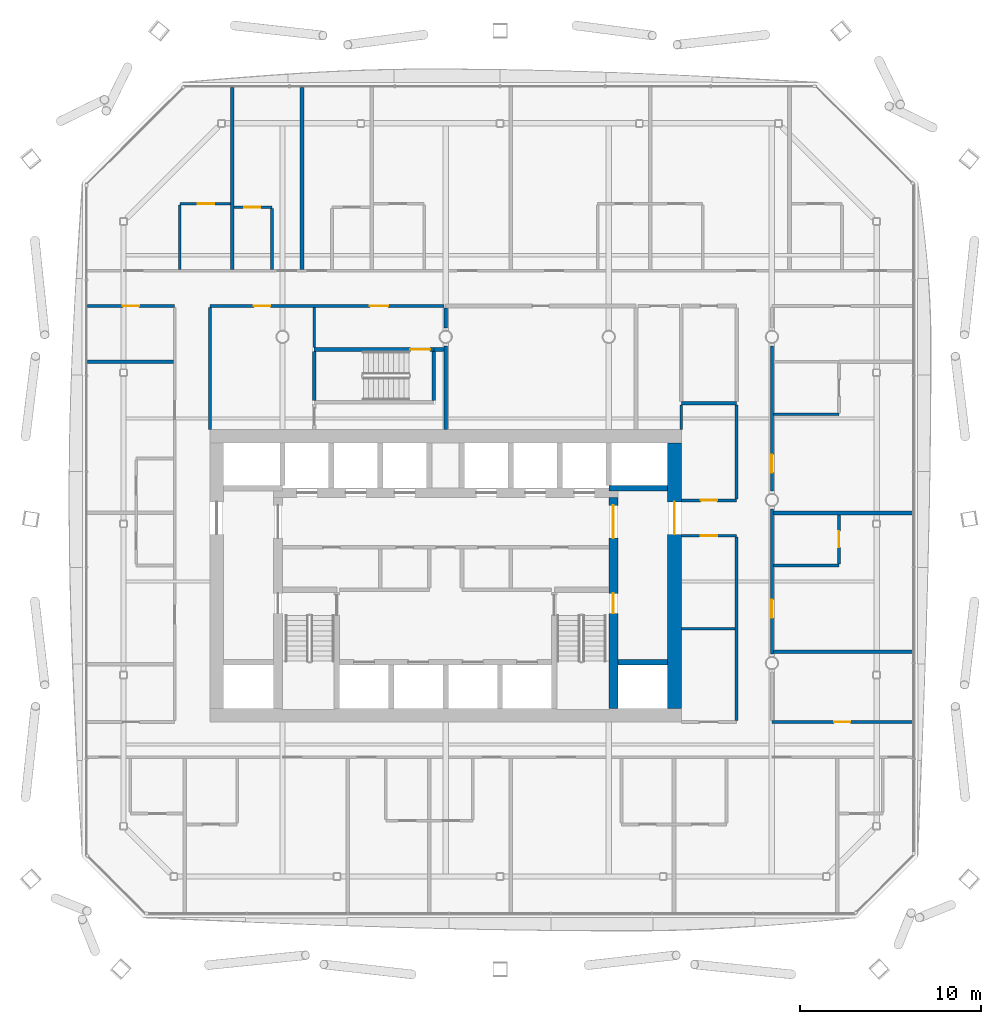
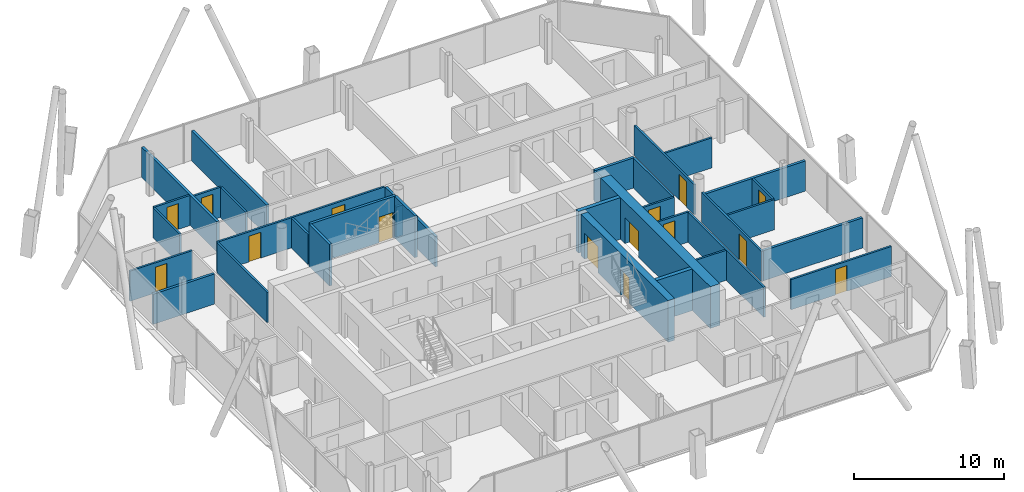
# One storey, part 16 of 23: 36 walls, 15 doors, 15 openings.
"""IFC4 building model written with IfcOpenShell, lengths in metres."""

from ifc_helpers import new_model, si_unit, direction, frame, frame_2d, origin, place, context, subcontext, project, spatial, rectangle, extrude, material, layer, layer_set, type_object, element, fill, save


model = new_model("IFC4")

# Units and contexts
model_context = context("Model", 3, precision=1e-05, world=origin(), true_north=direction((0.0, 1.0)))
body_context = subcontext(model_context, "Body", "Model", "MODEL_VIEW")
ifc_project = project(units=[si_unit("LENGTHUNIT", "METRE"), si_unit("AREAUNIT", "SQUARE_METRE"), si_unit("VOLUMEUNIT", "CUBIC_METRE"), si_unit("PLANEANGLEUNIT", "RADIAN"), si_unit("MASSUNIT", "GRAM", prefix="KILO")], contexts=[model_context])

# Site, building, storey
site_placement = place(None, origin())
site = spatial("IfcSite", under=ifc_project, at=site_placement, CompositionType="ELEMENT")
building_placement = place(site_placement, origin())
building = spatial("IfcBuilding", under=site, at=building_placement, Name="Tskaro Facet Tower", CompositionType="ELEMENT")
storey_placement = place(building_placement, frame((0.0, 0.0, 131.699951171875)))
storey = spatial("IfcBuildingStorey", under=building, at=storey_placement, Name="L31", CompositionType="ELEMENT", Elevation=131.699951171875)

# Walls
ifc_material_1 = material(Name="Concrete C60/75", Category="concrete")
ifc_layer_1 = layer(ifc_material_1, 0.300048828125, Name="Concrete C60/75")
ifc_layer_set_1 = layer_set([ifc_layer_1], Name="Concrete C60/75")
wall_type_1 = type_object("IfcWallType", Name="CORE-SHAFT", PredefinedType="SHEAR", material=ifc_layer_set_1)
wall_1_placement = place(storey_placement, frame((9.5, -8.949951171875, 0.0), z_axis=(0.0, 0.0, 1.0), x_axis=(1.0, 0.0, 0.0)))
element("IfcWall", 1, at=wall_1_placement, inside=storey, type_object=wall_type_1, Name="Shaft wall W013", PredefinedType="SHEAR", context=body_context, shape_type="SweptSolid", body=[
    extrude(rectangle(XDim=2.75, YDim=0.300048828125, at=frame_2d((1.375, 0.0))), origin(), (0.0, 0.0, 1.0), 3.400146484375),
])
wall_2_placement = place(storey_placement, frame((12.25, 0.64990234375, 0.0), z_axis=(0.0, 0.0, 1.0), x_axis=(-1.0, 0.0, 0.0)))
element("IfcWall", 2, at=wall_2_placement, inside=storey, type_object=wall_type_1, Name="Shaft wall W028", PredefinedType="SHEAR", context=body_context, shape_type="SweptSolid", body=[
    extrude(rectangle(XDim=3.25, YDim=0.300048828125, at=frame_2d((1.625, 0.0))), origin(), (0.0, 0.0, 1.0), 3.400146484375),
])

# Wall, openings, doors
ifc_material_2 = material(Name="Concrete C40/50", Category="concrete")
ifc_layer_2 = layer(ifc_material_2, 0.5, Name="Concrete C40/50")
ifc_layer_set_2 = layer_set([ifc_layer_2], Name="Concrete C40/50")
wall_type_2 = type_object("IfcWallType", Name="Core wall 500", PredefinedType="SHEAR", material=ifc_layer_set_2)
wall_3_placement = place(storey_placement, frame((9.25, -11.5, 0.0), z_axis=(0.0, 0.0, 1.0), x_axis=(0.0, 1.0, 0.0)))
wall_3 = element("IfcWall", 3, at=wall_3_placement, inside=storey, type_object=wall_type_2, Name="Core wall CW-Z3E", PredefinedType="SHEAR", context=body_context, shape_type="SweptSolid", body=[
    extrude(rectangle(XDim=11.64990234375, YDim=0.5, at=frame_2d((5.824951171875, 0.0))), origin(), (0.0, 0.0, 1.0), 3.400146484375),
])
opening_1_placement = place(wall_3_placement, frame((9.39990234375, 0.0, 0.0)))
opening_1 = element("IfcOpeningElement", 4, at=opening_1_placement, cuts=wall_3, Name="Opening T9-D30", PredefinedType="OPENING", context=body_context, shape_type="SweptSolid", body=[
    extrude(rectangle(XDim=1.800048828125, YDim=2.10009765625, at=frame_2d((0.89990234375, 1.050048828125))), frame((0.0, 0.260009765625, 0.0), z_axis=(0.0, -1.0, 0.0), x_axis=(1.0, 0.0, 0.0)), (0.0, 0.0, 1.0), 0.52001953125),
])
opening_2_placement = place(wall_3_placement, frame((5.25, 0.0, 0.0)))
opening_2 = element("IfcOpeningElement", 5, at=opening_2_placement, cuts=wall_3, Name="Opening ST-2-D2", PredefinedType="OPENING", context=body_context, shape_type="SweptSolid", body=[
    extrude(rectangle(XDim=1.10009765625, YDim=2.10009765625, at=frame_2d((0.550048828125, 1.050048828125))), frame((0.0, 0.260009765625, 0.0), z_axis=(0.0, -1.0, 0.0), x_axis=(1.0, 0.0, 0.0)), (0.0, 0.0, 1.0), 0.52001953125),
])
ifc_material_3 = material(Name="Steel", Category="steel")
door_type_1 = type_object("IfcDoorType", Name="D-CORE-PAIR", OperationType="NOTDEFINED", PredefinedType="DOOR", material=ifc_material_3)
door_1_placement = place(opening_1_placement, origin())
door_1 = element("IfcDoor", 6, at=door_1_placement, inside=storey, type_object=door_type_1, Name="Door T9-D30", OperationType="DOUBLE_DOOR_SINGLE_SWING", OverallHeight=2.10009765625, OverallWidth=1.800048828125, PredefinedType="DOOR", context=body_context, shape_type="SweptSolid", body=[
    extrude(rectangle(XDim=1.800048828125, YDim=2.10009765625, at=frame_2d((0.89990234375, 1.050048828125))), frame((0.0, 0.02490234375, 0.0), z_axis=(0.0, -1.0, 0.0), x_axis=(1.0, 0.0, 0.0)), (0.0, 0.0, 1.0), 0.050048828125),
])
fill(opening_1, door_1)
door_type_2 = type_object("IfcDoorType", Name="D-STAIR", OperationType="NOTDEFINED", PredefinedType="DOOR", material=ifc_material_3)
door_2_placement = place(opening_2_placement, origin())
door_2 = element("IfcDoor", 7, at=door_2_placement, inside=storey, type_object=door_type_2, Name="Stair door 2 east", OperationType="SINGLE_SWING_LEFT", OverallHeight=2.10009765625, OverallWidth=1.10009765625, PredefinedType="DOOR", context=body_context, shape_type="SweptSolid", body=[
    extrude(rectangle(XDim=1.10009765625, YDim=2.10009765625, at=frame_2d((0.550048828125, 1.050048828125))), frame((0.0, 0.02490234375, 0.0), z_axis=(0.0, -1.0, 0.0), x_axis=(1.0, 0.0, 0.0)), (0.0, 0.0, 1.0), 0.050048828125),
])
fill(opening_2, door_2)

# Wall, opening, door
ifc_material_4 = material(Name="Concrete C50/60", Category="concrete")
ifc_layer_3 = layer(ifc_material_4, 0.75, Name="Concrete C50/60")
ifc_layer_set_3 = layer_set([ifc_layer_3], Name="Concrete C50/60")
wall_type_3 = type_object("IfcWallType", Name="Core wall 750", PredefinedType="SHEAR", material=ifc_layer_set_3)
wall_4_placement = place(storey_placement, frame((12.625, -11.5, 0.0), z_axis=(0.0, 0.0, 1.0), x_axis=(0.0, 1.0, 0.0)))
wall_4 = element("IfcWall", 8, at=wall_4_placement, inside=storey, type_object=wall_type_3, Name="Core wall CW-Z2E", PredefinedType="SHEAR", context=body_context, shape_type="SweptSolid", body=[
    extrude(rectangle(XDim=14.64990234375, YDim=0.75, at=frame_2d((7.324951171875, 0.0))), origin(), (0.0, 0.0, 1.0), 3.400146484375),
])
opening_3_placement = place(wall_4_placement, frame((9.60009765625, 0.0, 0.0)))
opening_3 = element("IfcOpeningElement", 9, at=opening_3_placement, cuts=wall_4, Name="Opening T9-D32", PredefinedType="OPENING", context=body_context, shape_type="SweptSolid", body=[
    extrude(rectangle(XDim=1.800048828125, YDim=2.10009765625, at=frame_2d((0.89990234375, 1.050048828125))), frame((0.0, 0.385009765625, 0.0), z_axis=(0.0, -1.0, 0.0), x_axis=(1.0, 0.0, 0.0)), (0.0, 0.0, 1.0), 0.77001953125),
])
door_3_placement = place(opening_3_placement, origin())
door_3 = element("IfcDoor", 10, at=door_3_placement, inside=storey, type_object=door_type_1, Name="Door T9-D32", OperationType="DOUBLE_DOOR_SINGLE_SWING", OverallHeight=2.10009765625, OverallWidth=1.800048828125, PredefinedType="DOOR", context=body_context, shape_type="SweptSolid", body=[
    extrude(rectangle(XDim=1.800048828125, YDim=2.10009765625, at=frame_2d((0.89990234375, 1.050048828125))), frame((0.0, 0.02490234375, 0.0), z_axis=(0.0, -1.0, 0.0), x_axis=(1.0, 0.0, 0.0)), (0.0, 0.0, 1.0), 0.050048828125),
])
fill(opening_3, door_3)

ifc_material_5 = material(Name="Gypsum board on steel studs", Category="steel")
ifc_layer_4 = layer(ifc_material_5, 0.14990234375, Name="Gypsum board on steel studs")
ifc_layer_set_4 = layer_set([ifc_layer_4], Name="Gypsum board on steel studs")
wall_type_4 = type_object("IfcWallType", Name="PART-CORR", PredefinedType="PARTITIONING", material=ifc_layer_set_4)
wall_5_placement = place(storey_placement, frame((18.0, -12.25, 0.0), z_axis=(0.0, 0.0, 1.0), x_axis=(1.0, 0.0, 0.0)))
wall_5 = element("IfcWall", 11, at=wall_5_placement, inside=storey, type_object=wall_type_4, Name="Corridor wall W009", PredefinedType="PARTITIONING", context=body_context, shape_type="SweptSolid", body=[
    extrude(rectangle(XDim=7.77001953125, YDim=0.14990234375, at=frame_2d((3.885009765625, 0.0))), origin(), (0.0, 0.0, 1.0), 2.4599609375),
])
opening_4_placement = place(wall_5_placement, frame((3.43505859375, 0.0, 0.0)))
opening_4 = element("IfcOpeningElement", 12, at=opening_4_placement, cuts=wall_5, Name="Opening T9-D17", PredefinedType="OPENING", context=body_context, shape_type="SweptSolid", body=[
    extrude(rectangle(XDim=0.89990234375, YDim=2.10009765625, at=frame_2d((0.449951171875, 1.050048828125))), frame((0.0, 0.0849609375, 0.0), z_axis=(0.0, -1.0, 0.0), x_axis=(1.0, 0.0, 0.0)), (0.0, 0.0, 1.0), 0.169921875),
])
ifc_material_6 = material(Name="Timber", Category="wood")
door_type_3 = type_object("IfcDoorType", Name="D-ROOM", OperationType="NOTDEFINED", PredefinedType="DOOR", material=ifc_material_6)
door_4_placement = place(opening_4_placement, origin())
door_4 = element("IfcDoor", 13, at=door_4_placement, inside=storey, type_object=door_type_3, Name="Door T9-D17", OperationType="SINGLE_SWING_LEFT", OverallHeight=2.10009765625, OverallWidth=0.89990234375, PredefinedType="DOOR", context=body_context, shape_type="SweptSolid", body=[
    extrude(rectangle(XDim=0.89990234375, YDim=2.10009765625, at=frame_2d((0.449951171875, 1.050048828125))), frame((0.0, 0.02490234375, 0.0), z_axis=(0.0, -1.0, 0.0), x_axis=(1.0, 0.0, 0.0)), (0.0, 0.0, 1.0), 0.050048828125),
])
fill(opening_4, door_4)

# Walls
wall_6_placement = place(storey_placement, frame((13.0, -7.112060546875, 0.0), z_axis=(0.0, 0.0, 1.0), x_axis=(1.0, 0.0, 0.0)))
element("IfcWall", 14, at=wall_6_placement, inside=storey, type_object=wall_type_4, Name="Corridor wall W015", PredefinedType="PARTITIONING", context=body_context, shape_type="SweptSolid", body=[
    extrude(rectangle(XDim=2.97509765625, YDim=0.14990234375, at=frame_2d((1.487548828125, 0.0))), origin(), (0.0, 0.0, 1.0), 2.4599609375),
])
wall_7_placement = place(storey_placement, frame((18.074951171875, -3.615966796875, 0.0), z_axis=(0.0, 0.0, 1.0), x_axis=(1.0, 0.0, 0.0)))
element("IfcWall", 15, at=wall_7_placement, inside=storey, type_object=wall_type_4, Name="Corridor wall W020", PredefinedType="PARTITIONING", context=body_context, shape_type="SweptSolid", body=[
    extrude(rectangle(XDim=3.625, YDim=0.14990234375, at=frame_2d((1.8125, 0.0))), origin(), (0.0, 0.0, 1.0), 2.4599609375),
])

# Wall, opening, door
wall_8_placement = place(storey_placement, frame((16.050048828125, -1.97509765625, 0.0), z_axis=(0.0, 0.0, 1.0), x_axis=(-1.0, 0.0, 0.0)))
wall_8 = element("IfcWall", 16, at=wall_8_placement, inside=storey, type_object=wall_type_4, Name="Corridor wall W023", PredefinedType="PARTITIONING", context=body_context, shape_type="SweptSolid", body=[
    extrude(rectangle(XDim=3.050048828125, YDim=0.14990234375, at=frame_2d((1.52490234375, 0.0))), origin(), (0.0, 0.0, 1.0), 2.4599609375),
])
opening_5_placement = place(wall_8_placement, frame((1.074951171875, 0.0, 0.0)))
opening_5 = element("IfcOpeningElement", 17, at=opening_5_placement, cuts=wall_8, Name="Opening T9-D28", PredefinedType="OPENING", context=body_context, shape_type="SweptSolid", body=[
    extrude(rectangle(XDim=0.89990234375, YDim=2.10009765625, at=frame_2d((0.449951171875, 1.050048828125))), frame((0.0, 0.0849609375, 0.0), z_axis=(0.0, -1.0, 0.0), x_axis=(1.0, 0.0, 0.0)), (0.0, 0.0, 1.0), 0.169921875),
])
door_5_placement = place(opening_5_placement, origin())
door_5 = element("IfcDoor", 18, at=door_5_placement, inside=storey, type_object=door_type_3, Name="Door T9-D28", OperationType="SINGLE_SWING_RIGHT", OverallHeight=2.10009765625, OverallWidth=0.89990234375, PredefinedType="DOOR", context=body_context, shape_type="SweptSolid", body=[
    extrude(rectangle(XDim=0.89990234375, YDim=2.10009765625, at=frame_2d((0.449951171875, 1.050048828125))), frame((0.0, 0.02490234375, 0.0), z_axis=(0.0, -1.0, 0.0), x_axis=(1.0, 0.0, 0.0)), (0.0, 0.0, 1.0), 0.050048828125),
])
fill(opening_5, door_5)

wall_9_placement = place(storey_placement, frame((13.0, -0.02490234375, 0.0), z_axis=(0.0, 0.0, 1.0), x_axis=(1.0, 0.0, 0.0)))
wall_9 = element("IfcWall", 19, at=wall_9_placement, inside=storey, type_object=wall_type_4, Name="Corridor wall W026", PredefinedType="PARTITIONING", context=body_context, shape_type="SweptSolid", body=[
    extrude(rectangle(XDim=3.050048828125, YDim=0.14990234375, at=frame_2d((1.52490234375, 0.0))), origin(), (0.0, 0.0, 1.0), 2.4599609375),
])
opening_6_placement = place(wall_9_placement, frame((1.074951171875, 0.0, 0.0)))
opening_6 = element("IfcOpeningElement", 20, at=opening_6_placement, cuts=wall_9, Name="Opening T9-D33", PredefinedType="OPENING", context=body_context, shape_type="SweptSolid", body=[
    extrude(rectangle(XDim=0.89990234375, YDim=2.10009765625, at=frame_2d((0.449951171875, 1.050048828125))), frame((0.0, 0.0849609375, 0.0), z_axis=(0.0, -1.0, 0.0), x_axis=(1.0, 0.0, 0.0)), (0.0, 0.0, 1.0), 0.169921875),
])
door_6_placement = place(opening_6_placement, origin())
door_6 = element("IfcDoor", 21, at=door_6_placement, inside=storey, type_object=door_type_3, Name="Door T9-D33", OperationType="SINGLE_SWING_LEFT", OverallHeight=2.10009765625, OverallWidth=0.89990234375, PredefinedType="DOOR", context=body_context, shape_type="SweptSolid", body=[
    extrude(rectangle(XDim=0.89990234375, YDim=2.10009765625, at=frame_2d((0.449951171875, 1.050048828125))), frame((0.0, 0.02490234375, 0.0), z_axis=(0.0, -1.0, 0.0), x_axis=(1.0, 0.0, 0.0)), (0.0, 0.0, 1.0), 0.050048828125),
])
fill(opening_6, door_6)

# Wall
wall_10_placement = place(storey_placement, frame((18.074951171875, 4.72607421875, 0.0), z_axis=(0.0, 0.0, 1.0), x_axis=(1.0, 0.0, 0.0)))
element("IfcWall", 22, at=wall_10_placement, inside=storey, type_object=wall_type_4, Name="Corridor wall W030", PredefinedType="PARTITIONING", context=body_context, shape_type="SweptSolid", body=[
    extrude(rectangle(XDim=3.625, YDim=0.14990234375, at=frame_2d((1.8125, 0.0))), origin(), (0.0, 0.0, 1.0), 2.4599609375),
])

# Wall, opening, door
wall_11_placement = place(storey_placement, frame((-14.949951171875, 10.699951171875, 0.0), z_axis=(0.0, 0.0, 1.0), x_axis=(-1.0, 0.0, 0.0)))
wall_11 = element("IfcWall", 23, at=wall_11_placement, inside=storey, type_object=wall_type_4, Name="Corridor wall W038", PredefinedType="PARTITIONING", context=body_context, shape_type="SweptSolid", body=[
    extrude(rectangle(XDim=4.820068359375, YDim=0.14990234375, at=frame_2d((2.41015625, 0.0))), origin(), (0.0, 0.0, 1.0), 2.4599609375),
])
opening_7_placement = place(wall_11_placement, frame((1.9599609375, 0.0, 0.0)))
opening_7 = element("IfcOpeningElement", 24, at=opening_7_placement, cuts=wall_11, Name="Opening T9-D41", PredefinedType="OPENING", context=body_context, shape_type="SweptSolid", body=[
    extrude(rectangle(XDim=0.89990234375, YDim=2.10009765625, at=frame_2d((0.449951171875, 1.050048828125))), frame((0.0, 0.0849609375, 0.0), z_axis=(0.0, -1.0, 0.0), x_axis=(1.0, 0.0, 0.0)), (0.0, 0.0, 1.0), 0.169921875),
])
door_7_placement = place(opening_7_placement, origin())
door_7 = element("IfcDoor", 25, at=door_7_placement, inside=storey, type_object=door_type_3, Name="Door T9-D41", OperationType="SINGLE_SWING_RIGHT", OverallHeight=2.10009765625, OverallWidth=0.89990234375, PredefinedType="DOOR", context=body_context, shape_type="SweptSolid", body=[
    extrude(rectangle(XDim=0.89990234375, YDim=2.10009765625, at=frame_2d((0.449951171875, 1.050048828125))), frame((0.0, 0.02490234375, 0.0), z_axis=(0.0, -1.0, 0.0), x_axis=(1.0, 0.0, 0.0)), (0.0, 0.0, 1.0), 0.050048828125),
])
fill(opening_7, door_7)

# Wall, openings, doors
wall_12_placement = place(storey_placement, frame((-0.10009765625, 10.699951171875, 0.0), z_axis=(0.0, 0.0, 1.0), x_axis=(-1.0, 0.0, 0.0)))
wall_12 = element("IfcWall", 26, at=wall_12_placement, inside=storey, type_object=wall_type_4, Name="Corridor wall W039", PredefinedType="PARTITIONING", context=body_context, shape_type="SweptSolid", body=[
    extrude(rectangle(XDim=12.89990234375, YDim=0.14990234375, at=frame_2d((6.449951171875, 0.0))), origin(), (0.0, 0.0, 1.0), 2.4599609375),
])
opening_8_placement = place(wall_12_placement, frame((3.074951171875, 0.0, 0.0)))
opening_8 = element("IfcOpeningElement", 27, at=opening_8_placement, cuts=wall_12, Name="Opening T9-D43", PredefinedType="OPENING", context=body_context, shape_type="SweptSolid", body=[
    extrude(rectangle(XDim=1.0, YDim=2.10009765625, at=frame_2d((0.5, 1.050048828125))), frame((0.0, 0.0849609375, 0.0), z_axis=(0.0, -1.0, 0.0), x_axis=(1.0, 0.0, 0.0)), (0.0, 0.0, 1.0), 0.169921875),
])
opening_9_placement = place(wall_12_placement, frame((9.574951171875, 0.0, 0.0)))
opening_9 = element("IfcOpeningElement", 28, at=opening_9_placement, cuts=wall_12, Name="Opening T9-D42", PredefinedType="OPENING", context=body_context, shape_type="SweptSolid", body=[
    extrude(rectangle(XDim=0.89990234375, YDim=2.10009765625, at=frame_2d((0.449951171875, 1.050048828125))), frame((0.0, 0.0849609375, 0.0), z_axis=(0.0, -1.0, 0.0), x_axis=(1.0, 0.0, 0.0)), (0.0, 0.0, 1.0), 0.169921875),
])
door_type_4 = type_object("IfcDoorType", Name="D-LOBBY", OperationType="NOTDEFINED", PredefinedType="DOOR", material=ifc_material_3)
door_8_placement = place(opening_8_placement, origin())
door_8 = element("IfcDoor", 29, at=door_8_placement, inside=storey, type_object=door_type_4, Name="Stair lobby door", OperationType="SINGLE_SWING_RIGHT", OverallHeight=2.10009765625, OverallWidth=1.0, PredefinedType="DOOR", context=body_context, shape_type="SweptSolid", body=[
    extrude(rectangle(XDim=1.0, YDim=2.10009765625, at=frame_2d((0.5, 1.050048828125))), frame((0.0, 0.02490234375, 0.0), z_axis=(0.0, -1.0, 0.0), x_axis=(1.0, 0.0, 0.0)), (0.0, 0.0, 1.0), 0.050048828125),
])
fill(opening_8, door_8)
door_9_placement = place(opening_9_placement, origin())
door_9 = element("IfcDoor", 30, at=door_9_placement, inside=storey, type_object=door_type_3, Name="Door T9-D42", OperationType="SINGLE_SWING_RIGHT", OverallHeight=2.10009765625, OverallWidth=0.89990234375, PredefinedType="DOOR", context=body_context, shape_type="SweptSolid", body=[
    extrude(rectangle(XDim=0.89990234375, YDim=2.10009765625, at=frame_2d((0.449951171875, 1.050048828125))), frame((0.0, 0.02490234375, 0.0), z_axis=(0.0, -1.0, 0.0), x_axis=(1.0, 0.0, 0.0)), (0.0, 0.0, 1.0), 0.050048828125),
])
fill(opening_9, door_9)

# Wall, opening, door
wall_13_placement = place(storey_placement, frame((-9.577880859375, 16.14990234375, 0.0), z_axis=(0.0, 0.0, 1.0), x_axis=(-1.0, 0.0, 0.0)))
wall_13 = element("IfcWall", 31, at=wall_13_placement, inside=storey, type_object=wall_type_4, Name="Corridor wall W045", PredefinedType="PARTITIONING", context=body_context, shape_type="SweptSolid", body=[
    extrude(rectangle(XDim=2.090087890625, YDim=0.14990234375, at=frame_2d((1.044921875, 0.0))), origin(), (0.0, 0.0, 1.0), 2.4599609375),
])
opening_10_placement = place(wall_13_placement, frame((0.64501953125, 0.0, 0.0)))
opening_10 = element("IfcOpeningElement", 32, at=opening_10_placement, cuts=wall_13, Name="Opening T9-D55", PredefinedType="OPENING", context=body_context, shape_type="SweptSolid", body=[
    extrude(rectangle(XDim=0.89990234375, YDim=2.10009765625, at=frame_2d((0.449951171875, 1.050048828125))), frame((0.0, 0.0849609375, 0.0), z_axis=(0.0, -1.0, 0.0), x_axis=(1.0, 0.0, 0.0)), (0.0, 0.0, 1.0), 0.169921875),
])
door_10_placement = place(opening_10_placement, origin())
door_10 = element("IfcDoor", 33, at=door_10_placement, inside=storey, type_object=door_type_3, Name="Door T9-D55", OperationType="SINGLE_SWING_RIGHT", OverallHeight=2.10009765625, OverallWidth=0.89990234375, PredefinedType="DOOR", context=body_context, shape_type="SweptSolid", body=[
    extrude(rectangle(XDim=0.89990234375, YDim=2.10009765625, at=frame_2d((0.449951171875, 1.050048828125))), frame((0.0, 0.02490234375, 0.0), z_axis=(0.0, -1.0, 0.0), x_axis=(1.0, 0.0, 0.0)), (0.0, 0.0, 1.0), 0.050048828125),
])
fill(opening_10, door_10)

wall_14_placement = place(storey_placement, frame((-11.867919921875, 16.35009765625, 0.0), z_axis=(0.0, 0.0, 1.0), x_axis=(-1.0, 0.0, 0.0)))
wall_14 = element("IfcWall", 34, at=wall_14_placement, inside=storey, type_object=wall_type_4, Name="Corridor wall W047", PredefinedType="PARTITIONING", context=body_context, shape_type="SweptSolid", body=[
    extrude(rectangle(XDim=2.800048828125, YDim=0.14990234375, at=frame_2d((1.39990234375, 0.0))), origin(), (0.0, 0.0, 1.0), 2.4599609375),
])
opening_11_placement = place(wall_14_placement, frame((0.89990234375, 0.0, 0.0)))
opening_11 = element("IfcOpeningElement", 35, at=opening_11_placement, cuts=wall_14, Name="Opening T9-D57", PredefinedType="OPENING", context=body_context, shape_type="SweptSolid", body=[
    extrude(rectangle(XDim=0.89990234375, YDim=2.10009765625, at=frame_2d((0.449951171875, 1.050048828125))), frame((0.0, 0.0849609375, 0.0), z_axis=(0.0, -1.0, 0.0), x_axis=(1.0, 0.0, 0.0)), (0.0, 0.0, 1.0), 0.169921875),
])
door_11_placement = place(opening_11_placement, origin())
door_11 = element("IfcDoor", 36, at=door_11_placement, inside=storey, type_object=door_type_3, Name="Door T9-D57", OperationType="SINGLE_SWING_RIGHT", OverallHeight=2.10009765625, OverallWidth=0.89990234375, PredefinedType="DOOR", context=body_context, shape_type="SweptSolid", body=[
    extrude(rectangle(XDim=0.89990234375, YDim=2.10009765625, at=frame_2d((0.449951171875, 1.050048828125))), frame((0.0, 0.02490234375, 0.0), z_axis=(0.0, -1.0, 0.0), x_axis=(1.0, 0.0, 0.0)), (0.0, 0.0, 1.0), 0.050048828125),
])
fill(opening_11, door_11)

# Walls
wall_15_placement = place(storey_placement, frame((-14.66796875, 12.72509765625, 0.0), z_axis=(0.0, 0.0, 1.0), x_axis=(0.0, 1.0, 0.0)))
element("IfcWall", 37, at=wall_15_placement, inside=storey, type_object=wall_type_4, Name="Corridor wall W054", PredefinedType="PARTITIONING", context=body_context, shape_type="SweptSolid", body=[
    extrude(rectangle(XDim=3.5498046875, YDim=0.14990234375, at=frame_2d((1.77490234375, 0.0))), origin(), (0.0, 0.0, 1.0), 2.4599609375),
])
wall_16_placement = place(storey_placement, frame((-13.0, 3.89990234375, 0.0), z_axis=(0.0, 0.0, 1.0), x_axis=(0.0, 1.0, 0.0)))
element("IfcWall", 38, at=wall_16_placement, inside=storey, type_object=wall_type_4, Name="Corridor wall W056", PredefinedType="PARTITIONING", context=body_context, shape_type="SweptSolid", body=[
    extrude(rectangle(XDim=6.72509765625, YDim=0.14990234375, at=frame_2d((3.362548828125, 0.0))), origin(), (0.0, 0.0, 1.0), 2.4599609375),
])
wall_17_placement = place(storey_placement, frame((-9.577880859375, 12.72509765625, 0.0), z_axis=(0.0, 0.0, 1.0), x_axis=(0.0, 1.0, 0.0)))
element("IfcWall", 39, at=wall_17_placement, inside=storey, type_object=wall_type_4, Name="Corridor wall W059", PredefinedType="PARTITIONING", context=body_context, shape_type="SweptSolid", body=[
    extrude(rectangle(XDim=3.349853515625, YDim=0.14990234375, at=frame_2d((1.6748046875, 0.0))), origin(), (0.0, 0.0, 1.0), 2.4599609375),
])
wall_18_placement = place(storey_placement, frame((-7.25, 8.39990234375, 0.0), z_axis=(0.0, 0.0, 1.0), x_axis=(0.0, 1.0, 0.0)))
element("IfcWall", 40, at=wall_18_placement, inside=storey, type_object=wall_type_4, Name="Corridor wall W064", PredefinedType="PARTITIONING", context=body_context, shape_type="SweptSolid", body=[
    extrude(rectangle(XDim=2.22509765625, YDim=0.14990234375, at=frame_2d((1.112548828125, 0.0))), origin(), (0.0, 0.0, 1.0), 2.4599609375),
])
wall_19_placement = place(storey_placement, frame((13.0, 3.89990234375, 0.0), z_axis=(0.0, 0.0, 1.0), x_axis=(0.0, 1.0, 0.0)))
element("IfcWall", 41, at=wall_19_placement, inside=storey, type_object=wall_type_4, Name="Corridor wall W098", PredefinedType="PARTITIONING", context=body_context, shape_type="SweptSolid", body=[
    extrude(rectangle(XDim=1.337158203125, YDim=0.14990234375, at=frame_2d((0.66845703125, 0.0))), origin(), (0.0, 0.0, 1.0), 2.4599609375),
])
wall_20_placement = place(storey_placement, frame((16.050048828125, -12.175048828125, 0.0), z_axis=(0.0, 0.0, 1.0), x_axis=(0.0, 1.0, 0.0)))
element("IfcWall", 42, at=wall_20_placement, inside=storey, type_object=wall_type_4, Name="Corridor wall W102", PredefinedType="PARTITIONING", context=body_context, shape_type="SweptSolid", body=[
    extrude(rectangle(XDim=10.125, YDim=0.14990234375, at=frame_2d((5.0625, 0.0))), origin(), (0.0, 0.0, 1.0), 2.4599609375),
])
wall_21_placement = place(storey_placement, frame((16.050048828125, 0.050048828125, 0.0), z_axis=(0.0, 0.0, 1.0), x_axis=(0.0, 1.0, 0.0)))
element("IfcWall", 43, at=wall_21_placement, inside=storey, type_object=wall_type_4, Name="Corridor wall W103", PredefinedType="PARTITIONING", context=body_context, shape_type="SweptSolid", body=[
    extrude(rectangle(XDim=5.18701171875, YDim=0.14990234375, at=frame_2d((2.593505859375, 0.0))), origin(), (0.0, 0.0, 1.0), 2.4599609375),
])

# Wall, opening, door
wall_22_placement = place(storey_placement, frame((18.0, -0.5, 0.0), z_axis=(0.0, 0.0, 1.0), x_axis=(0.0, -1.0, 0.0)))
wall_22 = element("IfcWall", 44, at=wall_22_placement, inside=storey, type_object=wall_type_4, Name="Corridor wall W106", PredefinedType="PARTITIONING", context=body_context, shape_type="SweptSolid", body=[
    extrude(rectangle(XDim=8.0, YDim=0.14990234375, at=frame_2d((4.0, 0.0))), origin(), (0.0, 0.0, 1.0), 2.4599609375),
])
opening_12_placement = place(wall_22_placement, frame((4.998046875, 0.0, 0.0)))
opening_12 = element("IfcOpeningElement", 45, at=opening_12_placement, cuts=wall_22, Name="Opening T9-D21", PredefinedType="OPENING", context=body_context, shape_type="SweptSolid", body=[
    extrude(rectangle(XDim=1.0, YDim=2.10009765625, at=frame_2d((0.5, 1.050048828125))), frame((0.0, 0.0849609375, 0.0), z_axis=(0.0, -1.0, 0.0), x_axis=(1.0, 0.0, 0.0)), (0.0, 0.0, 1.0), 0.169921875),
])
door_type_5 = type_object("IfcDoorType", Name="D-ENTRY", OperationType="NOTDEFINED", PredefinedType="DOOR", material=ifc_material_6)
door_12_placement = place(opening_12_placement, origin())
door_12 = element("IfcDoor", 46, at=door_12_placement, inside=storey, type_object=door_type_5, Name="Door T9-D21", OperationType="SINGLE_SWING_LEFT", OverallHeight=2.10009765625, OverallWidth=1.0, PredefinedType="DOOR", context=body_context, shape_type="SweptSolid", body=[
    extrude(rectangle(XDim=1.0, YDim=2.10009765625, at=frame_2d((0.5, 1.050048828125))), frame((0.0, 0.02490234375, 0.0), z_axis=(0.0, -1.0, 0.0), x_axis=(1.0, 0.0, 0.0)), (0.0, 0.0, 1.0), 0.050048828125),
])
fill(opening_12, door_12)

wall_23_placement = place(storey_placement, frame((18.0, 8.5, 0.0), z_axis=(0.0, 0.0, 1.0), x_axis=(0.0, -1.0, 0.0)))
wall_23 = element("IfcWall", 47, at=wall_23_placement, inside=storey, type_object=wall_type_4, Name="Corridor wall W107", PredefinedType="PARTITIONING", context=body_context, shape_type="SweptSolid", body=[
    extrude(rectangle(XDim=8.0, YDim=0.14990234375, at=frame_2d((4.0, 0.0))), origin(), (0.0, 0.0, 1.0), 2.4599609375),
])
opening_13_placement = place(wall_23_placement, frame((5.9951171875, 0.0, 0.0)))
opening_13 = element("IfcOpeningElement", 48, at=opening_13_placement, cuts=wall_23, Name="Opening T9-D37", PredefinedType="OPENING", context=body_context, shape_type="SweptSolid", body=[
    extrude(rectangle(XDim=1.0, YDim=2.10009765625, at=frame_2d((0.5, 1.050048828125))), frame((0.0, 0.0849609375, 0.0), z_axis=(0.0, -1.0, 0.0), x_axis=(1.0, 0.0, 0.0)), (0.0, 0.0, 1.0), 0.169921875),
])
door_13_placement = place(opening_13_placement, origin())
door_13 = element("IfcDoor", 49, at=door_13_placement, inside=storey, type_object=door_type_5, Name="Door T9-D37", OperationType="SINGLE_SWING_LEFT", OverallHeight=2.10009765625, OverallWidth=1.0, PredefinedType="DOOR", context=body_context, shape_type="SweptSolid", body=[
    extrude(rectangle(XDim=1.0, YDim=2.10009765625, at=frame_2d((0.5, 1.050048828125))), frame((0.0, 0.02490234375, 0.0), z_axis=(0.0, -1.0, 0.0), x_axis=(1.0, 0.0, 0.0)), (0.0, 0.0, 1.0), 0.050048828125),
])
fill(opening_13, door_13)

wall_24_placement = place(storey_placement, frame((21.699951171875, -3.541015625, 0.0), z_axis=(0.0, 0.0, 1.0), x_axis=(0.0, 1.0, 0.0)))
wall_24 = element("IfcWall", 50, at=wall_24_placement, inside=storey, type_object=wall_type_4, Name="Corridor wall W111", PredefinedType="PARTITIONING", context=body_context, shape_type="SweptSolid", body=[
    extrude(rectangle(XDim=2.72509765625, YDim=0.14990234375, at=frame_2d((1.362548828125, 0.0))), origin(), (0.0, 0.0, 1.0), 2.4599609375),
])
opening_14_placement = place(wall_24_placement, frame((0.925048828125, 0.0, 0.0)))
opening_14 = element("IfcOpeningElement", 51, at=opening_14_placement, cuts=wall_24, Name="Opening T9-D27", PredefinedType="OPENING", context=body_context, shape_type="SweptSolid", body=[
    extrude(rectangle(XDim=0.89990234375, YDim=2.10009765625, at=frame_2d((0.449951171875, 1.050048828125))), frame((0.0, 0.0849609375, 0.0), z_axis=(0.0, -1.0, 0.0), x_axis=(1.0, 0.0, 0.0)), (0.0, 0.0, 1.0), 0.169921875),
])
door_14_placement = place(opening_14_placement, origin())
door_14 = element("IfcDoor", 52, at=door_14_placement, inside=storey, type_object=door_type_3, Name="Door T9-D27", OperationType="SINGLE_SWING_LEFT", OverallHeight=2.10009765625, OverallWidth=0.89990234375, PredefinedType="DOOR", context=body_context, shape_type="SweptSolid", body=[
    extrude(rectangle(XDim=0.89990234375, YDim=2.10009765625, at=frame_2d((0.449951171875, 1.050048828125))), frame((0.0, 0.02490234375, 0.0), z_axis=(0.0, -1.0, 0.0), x_axis=(1.0, 0.0, 0.0)), (0.0, 0.0, 1.0), 0.050048828125),
])
fill(opening_14, door_14)

# Walls
ifc_layer_5 = layer(ifc_material_5, 0.199951171875, Name="Gypsum board on steel studs")
ifc_layer_set_5 = layer_set([ifc_layer_5], Name="Gypsum board on steel studs")
wall_type_5 = type_object("IfcWallType", Name="PART-DEMISING", PredefinedType="PARTITIONING", material=ifc_layer_set_5)
for number, where, z_axis, x_axis, name in (
    (53, (18.074951171875, -8.3798828125, 0.0), (0.0, 0.0, 1.0), (1.0, 0.0, 0.0), "Guest room wall W014"),
    (54, (18.074951171875, -0.716064453125, 0.0), (0.0, 0.0, 1.0), (1.0, 0.0, 0.0), "Guest room wall W024"),
):
    element("IfcWall", number, at=place(storey_placement, frame(where, z_axis=z_axis, x_axis=x_axis)), inside=storey, type_object=wall_type_5, Name=name, PredefinedType="PARTITIONING", context=body_context, shape_type="SweptSolid", body=[
        extrude(rectangle(XDim=7.695068359375, YDim=0.199951171875, at=frame_2d((3.84765625, 0.0))), origin(), (0.0, 0.0, 1.0), 2.4599609375),
    ])
wall_25_placement = place(storey_placement, frame((-19.77001953125, 7.6259765625, 0.0), z_axis=(0.0, 0.0, 1.0), x_axis=(1.0, 0.0, 0.0)))
element("IfcWall", 55, at=wall_25_placement, inside=storey, type_object=wall_type_5, Name="Guest room wall W033", PredefinedType="PARTITIONING", context=body_context, shape_type="SweptSolid", body=[
    extrude(rectangle(XDim=4.7451171875, YDim=0.199951171875, at=frame_2d((2.37255859375, 0.0))), origin(), (0.0, 0.0, 1.0), 2.4599609375),
])
for number, where, z_axis, x_axis, name in (
    (56, (-11.76806640625, 12.72509765625, 0.0), (0.0, 0.0, 1.0), (0.0, 1.0, 0.0), "Guest room wall W057"),
    (57, (-7.926025390625, 12.72509765625, 0.0), (0.0, 0.0, 1.0), (0.0, 1.0, 0.0), "Guest room wall W061"),
):
    element("IfcWall", number, at=place(storey_placement, frame(where, z_axis=z_axis, x_axis=x_axis)), inside=storey, type_object=wall_type_5, Name=name, PredefinedType="PARTITIONING", context=body_context, shape_type="SweptSolid", body=[
        extrude(rectangle(XDim=10.044921875, YDim=0.199951171875, at=frame_2d((5.0224609375, 0.0))), origin(), (0.0, 0.0, 1.0), 2.4599609375),
    ])

# Wall, opening, door
ifc_layer_6 = layer(ifc_material_1, 0.199951171875, Name="Concrete C60/75")
ifc_layer_set_6 = layer_set([ifc_layer_6], Name="Concrete C60/75")
wall_type_6 = type_object("IfcWallType", Name="STAIR-WALL", PredefinedType="SHEAR", material=ifc_layer_set_6)
wall_26_placement = place(storey_placement, frame((-0.64990234375, 8.300048828125, 0.0), z_axis=(0.0, 0.0, 1.0), x_axis=(-1.0, 0.0, 0.0)))
wall_26 = element("IfcWall", 58, at=wall_26_placement, inside=storey, type_object=wall_type_6, Name="Stair wall W036", PredefinedType="SHEAR", context=body_context, shape_type="SweptSolid", body=[
    extrude(rectangle(XDim=6.60009765625, YDim=0.199951171875, at=frame_2d((3.300048828125, 0.0))), origin(), (0.0, 0.0, 1.0), 3.400146484375),
])
opening_15_placement = place(wall_26_placement, frame((0.199951171875, 0.0, 0.0)))
opening_15 = element("IfcOpeningElement", 59, at=opening_15_placement, cuts=wall_26, Name="Opening ST-3-D1", PredefinedType="OPENING", context=body_context, shape_type="SweptSolid", body=[
    extrude(rectangle(XDim=1.10009765625, YDim=2.10009765625, at=frame_2d((0.550048828125, 1.050048828125))), frame((0.0, 0.10986328125, 0.0), z_axis=(0.0, -1.0, 0.0), x_axis=(1.0, 0.0, 0.0)), (0.0, 0.0, 1.0), 0.219970703125),
])
door_15_placement = place(opening_15_placement, origin())
door_15 = element("IfcDoor", 60, at=door_15_placement, inside=storey, type_object=door_type_2, Name="Stair door 3", OperationType="SINGLE_SWING_RIGHT", OverallHeight=2.10009765625, OverallWidth=1.10009765625, PredefinedType="DOOR", context=body_context, shape_type="SweptSolid", body=[
    extrude(rectangle(XDim=1.10009765625, YDim=2.10009765625, at=frame_2d((0.550048828125, 1.050048828125))), frame((0.0, 0.02490234375, 0.0), z_axis=(0.0, -1.0, 0.0), x_axis=(1.0, 0.0, 0.0)), (0.0, 0.0, 1.0), 0.050048828125),
])
fill(opening_15, door_15)

# Walls
for number, where, z_axis, x_axis, name in (
    (61, (-7.25, 5.5, 0.0), (0.0, 0.0, 1.0), (0.0, 1.0, 0.0), "Stair wall W063"),
    (62, (-0.64990234375, 5.5, 0.0), (0.0, 0.0, 1.0), (0.0, 1.0, 0.0), "Stair wall W078"),
):
    element("IfcWall", number, at=place(storey_placement, frame(where, z_axis=z_axis, x_axis=x_axis)), inside=storey, type_object=wall_type_6, Name=name, PredefinedType="SHEAR", context=body_context, shape_type="SweptSolid", body=[
        extrude(rectangle(XDim=2.699951171875, YDim=0.199951171875, at=frame_2d((1.35009765625, 0.0))), origin(), (0.0, 0.0, 1.0), 3.400146484375),
    ])
ifc_material_7 = material(Name="Concrete C20/25", Category="concrete")
ifc_layer_7 = layer(ifc_material_7, 0.199951171875, Name="Concrete C20/25")
ifc_layer_set_7 = layer_set([ifc_layer_7], Name="Concrete C20/25")
wall_type_7 = type_object("IfcWallType", Name="WALL-RISER", PredefinedType="SOLIDWALL", material=ifc_layer_set_7)
wall_27_placement = place(storey_placement, frame((13.0, 5.3369140625, 0.0), z_axis=(0.0, 0.0, 1.0), x_axis=(1.0, 0.0, 0.0)))
element("IfcWall", 63, at=wall_27_placement, inside=storey, type_object=wall_type_7, Name="Riser room wall W031", PredefinedType="SOLIDWALL", context=body_context, shape_type="SweptSolid", body=[
    extrude(rectangle(XDim=3.050048828125, YDim=0.199951171875, at=frame_2d((1.52490234375, 0.0))), origin(), (0.0, 0.0, 1.0), 2.4599609375),
])
wall_28_placement = place(storey_placement, frame((-0.64990234375, 8.300048828125, 0.0), z_axis=(0.0, 0.0, 1.0), x_axis=(1.0, 0.0, 0.0)))
element("IfcWall", 64, at=wall_28_placement, inside=storey, type_object=wall_type_7, Name="Riser room wall W037", PredefinedType="SOLIDWALL", context=body_context, shape_type="SweptSolid", body=[
    extrude(rectangle(XDim=0.5498046875, YDim=0.199951171875, at=frame_2d((0.27490234375, 0.0))), origin(), (0.0, 0.0, 1.0), 2.4599609375),
])
wall_29_placement = place(storey_placement, frame((0.0, 3.89990234375, 0.0), z_axis=(0.0, 0.0, 1.0), x_axis=(0.0, 1.0, 0.0)))
element("IfcWall", 65, at=wall_29_placement, inside=storey, type_object=wall_type_7, Name="Riser room wall W080", PredefinedType="SOLIDWALL", context=body_context, shape_type="SweptSolid", body=[
    extrude(rectangle(XDim=4.60009765625, YDim=0.199951171875, at=frame_2d((2.300048828125, 0.0))), origin(), (0.0, 0.0, 1.0), 2.4599609375),
])
wall_30_placement = place(storey_placement, frame((0.0, 9.5, 0.0), z_axis=(0.0, 0.0, 1.0), x_axis=(0.0, 1.0, 0.0)))
element("IfcWall", 66, at=wall_30_placement, inside=storey, type_object=wall_type_7, Name="Riser room wall W081", PredefinedType="SOLIDWALL", context=body_context, shape_type="SweptSolid", body=[
    extrude(rectangle(XDim=1.10009765625, YDim=0.199951171875, at=frame_2d((0.550048828125, 0.0))), origin(), (0.0, 0.0, 1.0), 2.4599609375),
])

save(model, "model.ifc")
